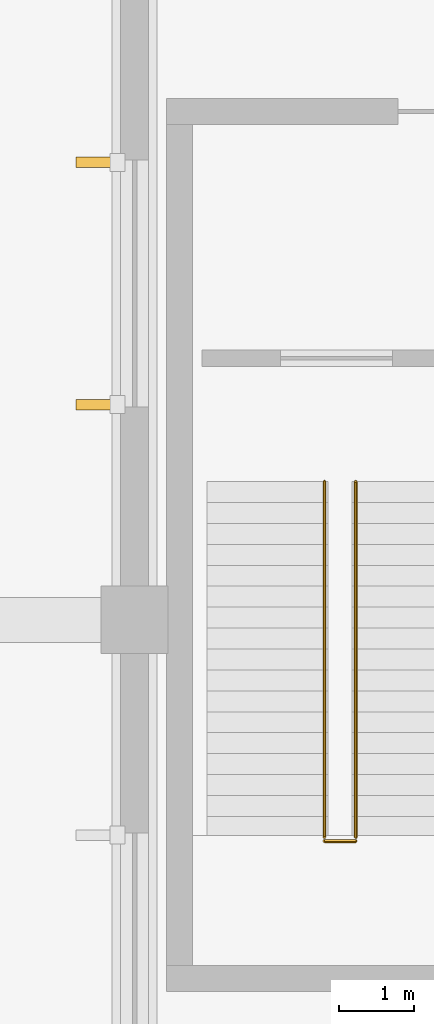
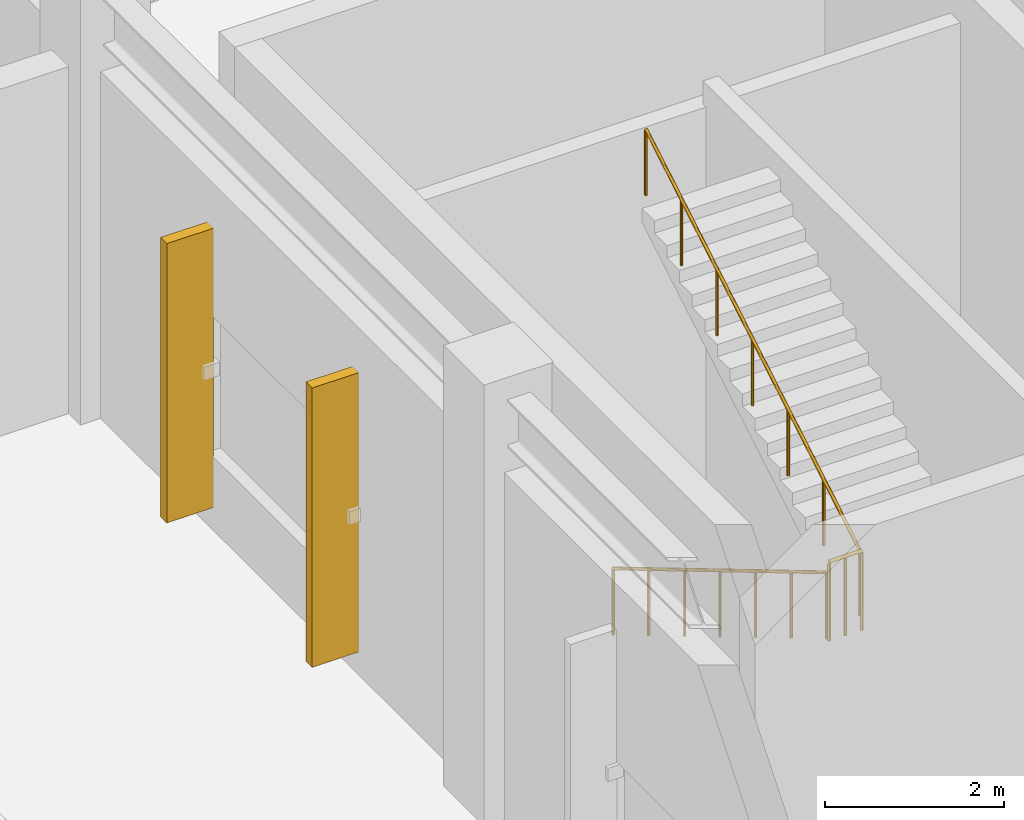
# One storey, part 82 of 91: 3 railings, 2 shading devices.
"""IFC4 building model written with IfcOpenShell, lengths in metres."""

from ifc_helpers import new_model, si_unit, direction, frame, origin, origin_2d, place, context, subcontext, project, spatial, rectangle, circle, extrude, material, layer, layer_set, type_object, element, save


model = new_model("IFC4")

# Units and contexts
model_context = context("Model", 3, precision=1e-05, world=origin(), true_north=direction((0.0, 1.0)))
body_context = subcontext(model_context, "Body", "Model", "MODEL_VIEW")
ifc_project = project(units=[si_unit("LENGTHUNIT", "METRE"), si_unit("AREAUNIT", "SQUARE_METRE"), si_unit("VOLUMEUNIT", "CUBIC_METRE"), si_unit("PLANEANGLEUNIT", "RADIAN"), si_unit("MASSUNIT", "GRAM", prefix="KILO")], contexts=[model_context])

# Site, building, storey
site_placement = place(None, origin())
site = spatial("IfcSite", under=ifc_project, at=site_placement, CompositionType="ELEMENT")
building_placement = place(site_placement, origin())
building = spatial("IfcBuilding", under=site, at=building_placement, Name="Dornveld Trade and Exhibition Forum", CompositionType="ELEMENT")
storey_placement = place(building_placement, origin())
storey = spatial("IfcBuildingStorey", under=building, at=storey_placement, Name="L00", CompositionType="ELEMENT", Elevation=0.0)

# Railings
ifc_material_1 = material(Name="Brushed stainless steel handrail", Category="steel")
railing_type_1 = type_object("IfcRailingType", Name="RL-HAND-920", PredefinedType="HANDRAIL", material=ifc_material_1)
railing_1_placement = place(storey_placement, frame((20.5400390625, 118.85009765625, 0.166748046875)))
element("IfcRailing", 1, at=railing_1_placement, inside=storey, type_object=railing_type_1, Name="ST-10-L00 flight 1 handrail", PredefinedType="HANDRAIL", context=body_context, shape_type="SweptSolid", body=[
    extrude(circle(Radius=0.02099609375, at=origin_2d()), frame((0.0, 0.0, 0.89892578125), z_axis=(0.0, -0.859299802514, 0.511472237174), x_axis=(1.0, 0.0, 0.0)), (0.0, 0.0, 1.0), 5.539306640625),
    extrude(circle(Radius=0.01806640625, at=origin_2d()), origin(), (0.0, 0.0, 1.0), 0.8779296875),
    extrude(circle(Radius=0.01806640625, at=origin_2d()), frame((0.0, -0.79345703125, 0.47216796875)), (0.0, 0.0, 1.0), 0.8779296875),
    extrude(circle(Radius=0.01806640625, at=origin_2d()), frame((0.0, -1.586669921875, 0.9443359375)), (0.0, 0.0, 1.0), 0.8779296875),
    extrude(circle(Radius=0.01806640625, at=origin_2d()), frame((0.0, -2.3798828125, 1.41650390625)), (0.0, 0.0, 1.0), 0.8779296875),
    extrude(circle(Radius=0.01806640625, at=origin_2d()), frame((0.0, -3.17333984375, 1.888916015625)), (0.0, 0.0, 1.0), 0.8779296875),
    extrude(circle(Radius=0.01806640625, at=origin_2d()), frame((0.0, -3.966796875, 2.361083984375)), (0.0, 0.0, 1.0), 0.8779296875),
    extrude(circle(Radius=0.01806640625, at=origin_2d()), frame((0.0, -4.760009765625, 2.833251953125)), (0.0, 0.0, 1.0), 0.8779296875),
])
railing_2_placement = place(storey_placement, frame((20.9599609375, 114.090087890625, 3.166748046875)))
element("IfcRailing", 2, at=railing_2_placement, inside=storey, type_object=railing_type_1, Name="ST-10-L00 flight 2 handrail", PredefinedType="HANDRAIL", context=body_context, shape_type="SweptSolid", body=[
    extrude(circle(Radius=0.02099609375, at=origin_2d()), frame((0.0, 0.0, 0.89892578125), z_axis=(0.0, 0.859299802514, 0.511472237174), x_axis=(-1.0, 0.0, 0.0)), (0.0, 0.0, 1.0), 5.539306640625),
    extrude(circle(Radius=0.01806640625, at=origin_2d()), origin(), (0.0, 0.0, 1.0), 0.8779296875),
    extrude(circle(Radius=0.01806640625, at=origin_2d()), frame((0.0, 0.79345703125, 0.47216796875)), (0.0, 0.0, 1.0), 0.8779296875),
    extrude(circle(Radius=0.01806640625, at=origin_2d()), frame((0.0, 1.586669921875, 0.9443359375)), (0.0, 0.0, 1.0), 0.8779296875),
    extrude(circle(Radius=0.01806640625, at=origin_2d()), frame((0.0, 2.3798828125, 1.41650390625)), (0.0, 0.0, 1.0), 0.8779296875),
    extrude(circle(Radius=0.01806640625, at=origin_2d()), frame((0.0, 3.17333984375, 1.888916015625)), (0.0, 0.0, 1.0), 0.8779296875),
    extrude(circle(Radius=0.01806640625, at=origin_2d()), frame((0.0, 3.966796875, 2.361083984375)), (0.0, 0.0, 1.0), 0.8779296875),
    extrude(circle(Radius=0.01806640625, at=origin_2d()), frame((0.0, 4.760009765625, 2.833251953125)), (0.0, 0.0, 1.0), 0.8779296875),
])
ifc_material_2 = material(Name="Painted steel S355J2 stair-well guard", Category="steel")
railing_type_2 = type_object("IfcRailingType", Name="RL-WELL-110", PredefinedType="GUARDRAIL", material=ifc_material_2)
railing_3_placement = place(storey_placement, frame((20.5400390625, 114.0400390625, 3.0)))
element("IfcRailing", 3, at=railing_3_placement, inside=storey, type_object=railing_type_2, Name="ST-10-L00 half-landing well guard", PredefinedType="GUARDRAIL", context=body_context, shape_type="SweptSolid", body=[
    extrude(circle(Radius=0.02392578125, at=origin_2d()), frame((0.0, 0.0, 1.076171875), z_axis=(1.0, 0.0, 0.0), x_axis=(0.0, 1.0, 0.0)), (0.0, 0.0, 1.0), 0.419921875),
    extrude(circle(Radius=0.02001953125, at=origin_2d()), origin(), (0.0, 0.0, 1.0), 1.052001953125),
    extrude(circle(Radius=0.02001953125, at=origin_2d()), frame((0.2099609375, 0.0, 0.0)), (0.0, 0.0, 1.0), 1.052001953125),
    extrude(circle(Radius=0.02001953125, at=origin_2d()), frame((0.419921875, 0.0, 0.0)), (0.0, 0.0, 1.0), 1.052001953125),
])

# Shading devices
ifc_material_3 = material(Name="Precast concrete C50/60", Category="concrete")
ifc_layer = layer(ifc_material_3, 0.139892578125)
ifc_layer_set = layer_set([ifc_layer], Name="Precast concrete C50/60")
shading_device_type = type_object("IfcShadingDeviceType", Name="SHD-FIN-600", PredefinedType="JALOUSIE", material=ifc_layer_set)
for number, where, z_axis, x_axis, name in (
    (4, (17.52001953125, 123.1201171875, 0.2998046875), (0.0, 0.0, 1.0), (0.0, -1.0, 0.0), "L00 vertical solar brise-soleil fin 87"),
    (5, (17.52001953125, 119.8798828125, 0.2998046875), (0.0, 0.0, 1.0), (0.0, -1.0, 0.0), "L00 vertical solar brise-soleil fin 88"),
):
    element("IfcShadingDevice", number, at=place(storey_placement, frame(where, z_axis=z_axis, x_axis=x_axis)), inside=storey, type_object=shading_device_type, Name=name, PredefinedType="JALOUSIE", context=body_context, shape_type="SweptSolid", body=[
        extrude(rectangle(XDim=0.139892578125, YDim=0.60009765625, at=origin_2d()), origin(), (0.0, 0.0, 1.0), 3.800048828125),
    ])

save(model, "model.ifc")
